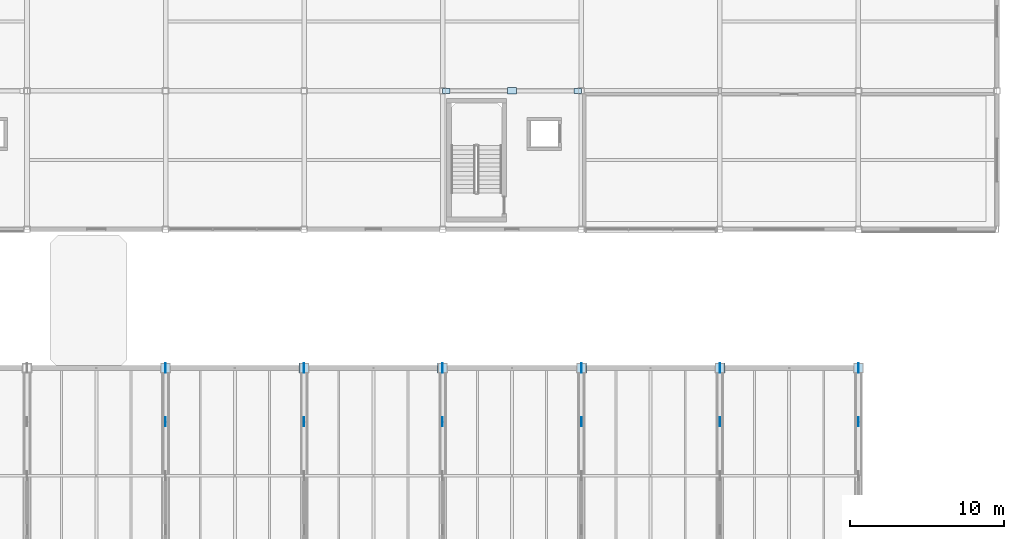
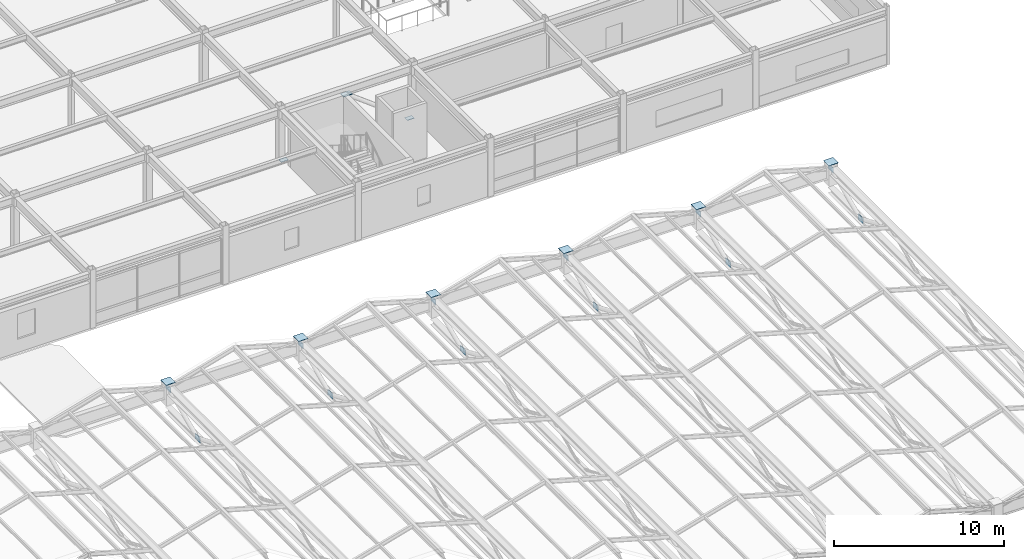
# One storey, part 75 of 108: 21 plates.
"""IFC4 building model written with IfcOpenShell, lengths in metres."""

from ifc_helpers import new_model, si_unit, direction, frame, origin, origin_2d, place, context, subcontext, project, spatial, rectangle, extrude, material, layer, layer_set, type_object, element, save


model = new_model("IFC4")

# Units and contexts
model_context = context("Model", 3, precision=1e-05, world=origin(), true_north=direction((0.0, 1.0)))
body_context = subcontext(model_context, "Body", "Model", "MODEL_VIEW")
ifc_project = project(units=[si_unit("LENGTHUNIT", "METRE"), si_unit("AREAUNIT", "SQUARE_METRE"), si_unit("VOLUMEUNIT", "CUBIC_METRE"), si_unit("PLANEANGLEUNIT", "RADIAN"), si_unit("MASSUNIT", "GRAM", prefix="KILO")], contexts=[model_context])

# Site, building, storey
site_placement = place(None, origin())
site = spatial("IfcSite", under=ifc_project, at=site_placement, CompositionType="ELEMENT")
building_placement = place(site_placement, origin())
building = spatial("IfcBuilding", under=site, at=building_placement, Name="Suzunagisa Mobility Hub", CompositionType="ELEMENT")
storey_placement = place(building_placement, frame((0.0, 0.0, 9.300048828125)))
storey = spatial("IfcBuildingStorey", under=building, at=storey_placement, Name="L02", CompositionType="ELEMENT", Elevation=9.300048828125)

# Plates
ifc_material = material(Name="Steel SN490B", Category="steel")
ifc_layer_1 = layer(ifc_material, 0.028076171875)
ifc_layer_set_1 = layer_set([ifc_layer_1], Name="Steel SN490B")
plate_type_1 = type_object("IfcPlateType", Name="Structural Steel Plate SP-04 480x320x28", PredefinedType="USERDEFINED", material=ifc_layer_set_1)
for number, where, z_axis, x_axis, name in (
    (1, (90.219970703125, 89.0, 0.10595703125), (0.0, 0.0, 1.0), (1.0, 0.0, 0.0), "L02 Brace Foot Gusset Plate FGP-121.1"),
    (2, (98.780029296875, 89.0, 0.10595703125), (0.0, 0.0, 1.0), (1.0, 0.0, 0.0), "L02 Brace Foot Gusset Plate FGP-121.2"),
):
    element("IfcPlate", number, at=place(storey_placement, frame(where, z_axis=z_axis, x_axis=x_axis)), inside=storey, type_object=plate_type_1, Name=name, ObjectType="GUSSET PLATE", PredefinedType="USERDEFINED", context=body_context, shape_type="SweptSolid", body=[
        extrude(rectangle(XDim=0.47998046875, YDim=0.320068359375, at=origin_2d()), origin(), (0.0, 0.0, 1.0), 0.028076171875),
    ])
ifc_layer_2 = layer(ifc_material, 0.031982421875)
ifc_layer_set_2 = layer_set([ifc_layer_2], Name="Steel SN490B")
plate_type_2 = type_object("IfcPlateType", Name="Structural Steel Plate SP-05 650x650x32", PredefinedType="USERDEFINED", material=ifc_layer_set_2)
for number, where, z_axis, x_axis, name in (
    (3, (72.0, 71.0, 1.5), (0.0, 0.0, 1.0), (1.0, 0.0, 0.0), "L02 Column Cap Plate CP-153"),
    (4, (81.0, 71.0, 1.5), (0.0, 0.0, 1.0), (1.0, 0.0, 0.0), "L02 Column Cap Plate CP-169"),
    (5, (90.0, 71.0, 1.5), (0.0, 0.0, 1.0), (1.0, 0.0, 0.0), "L02 Column Cap Plate CP-185"),
    (6, (99.0, 71.0, 1.5), (0.0, 0.0, 1.0), (1.0, 0.0, 0.0), "L02 Column Cap Plate CP-194"),
    (7, (108.0, 71.0, 1.5), (0.0, 0.0, 1.0), (1.0, 0.0, 0.0), "L02 Column Cap Plate CP-203"),
    (8, (117.0, 71.0, 1.5), (0.0, 0.0, 1.0), (1.0, 0.0, 0.0), "L02 Column Cap Plate CP-214"),
):
    element("IfcPlate", number, at=place(storey_placement, frame(where, z_axis=z_axis, x_axis=x_axis)), inside=storey, type_object=plate_type_2, Name=name, ObjectType="BASE PLATE", PredefinedType="USERDEFINED", context=body_context, shape_type="SweptSolid", body=[
        extrude(rectangle(XDim=0.64990234375, YDim=0.64990234375, at=origin_2d()), origin(), (0.0, 0.0, 1.0), 0.031982421875),
    ])
ifc_layer_3 = layer(ifc_material, 0.028076171875)
ifc_layer_set_3 = layer_set([ifc_layer_3], Name="Steel SN490B")
plate_type_3 = type_object("IfcPlateType", Name="Structural Steel Plate SP-06 600x400x28", PredefinedType="USERDEFINED", material=ifc_layer_set_3)
for number, where, z_axis, x_axis, name in (
    (9, (72.0, 67.5, -0.646240234375), (0.0, 0.0, 1.0), (1.0, 0.0, 0.0), "Folded-Plate Truss Node Gusset GP-38"),
    (10, (72.0, 71.0, 0.853759765625), (0.0, 0.0, 1.0), (1.0, 0.0, 0.0), "Folded-Plate Truss Top-Chord Node Gusset TGP-44"),
    (11, (81.0, 67.5, -0.646240234375), (0.0, 0.0, 1.0), (1.0, 0.0, 0.0), "Folded-Plate Truss Node Gusset GP-49"),
    (12, (81.0, 71.0, 0.853759765625), (0.0, 0.0, 1.0), (1.0, 0.0, 0.0), "Folded-Plate Truss Top-Chord Node Gusset TGP-55"),
    (13, (90.0, 67.5, -0.646240234375), (0.0, 0.0, 1.0), (1.0, 0.0, 0.0), "Folded-Plate Truss Node Gusset GP-60"),
    (14, (90.0, 71.0, 0.853759765625), (0.0, 0.0, 1.0), (1.0, 0.0, 0.0), "Folded-Plate Truss Top-Chord Node Gusset TGP-66"),
    (15, (99.0, 67.5, -0.646240234375), (0.0, 0.0, 1.0), (1.0, 0.0, 0.0), "Folded-Plate Truss Node Gusset GP-71"),
    (16, (99.0, 71.0, 0.853759765625), (0.0, 0.0, 1.0), (1.0, 0.0, 0.0), "Folded-Plate Truss Top-Chord Node Gusset TGP-77"),
    (17, (108.0, 67.5, -0.646240234375), (0.0, 0.0, 1.0), (1.0, 0.0, 0.0), "Folded-Plate Truss Node Gusset GP-82"),
    (18, (108.0, 71.0, 0.853759765625), (0.0, 0.0, 1.0), (1.0, 0.0, 0.0), "Folded-Plate Truss Top-Chord Node Gusset TGP-88"),
    (19, (117.0, 67.5, -0.646240234375), (0.0, 0.0, 1.0), (1.0, 0.0, 0.0), "Folded-Plate Truss Node Gusset GP-93"),
    (20, (117.0, 71.0, 0.853759765625), (0.0, 0.0, 1.0), (1.0, 0.0, 0.0), "Folded-Plate Truss Top-Chord Node Gusset TGP-99"),
):
    element("IfcPlate", number, at=place(storey_placement, frame(where, z_axis=z_axis, x_axis=x_axis)), inside=storey, type_object=plate_type_3, Name=name, ObjectType="GUSSET PLATE", PredefinedType="USERDEFINED", context=body_context, shape_type="SweptSolid", body=[
        extrude(rectangle(XDim=0.028076171875, YDim=0.60009765625, at=origin_2d()), origin(), (0.0, 0.0, 1.0), 0.39990234375),
    ])
plate_placement = place(storey_placement, frame((94.5, 89.0, 3.333984375), z_axis=(0.0, 0.0, 1.0), x_axis=(1.0, 0.0, 0.0)))
element("IfcPlate", 21, at=plate_placement, inside=storey, type_object=plate_type_3, Name="L02 Brace Apex Gusset GP-121", ObjectType="GUSSET PLATE", PredefinedType="USERDEFINED", context=body_context, shape_type="SweptSolid", body=[
    extrude(rectangle(XDim=0.60009765625, YDim=0.39990234375, at=origin_2d()), origin(), (0.0, 0.0, 1.0), 0.028076171875),
])

save(model, "model.ifc")
